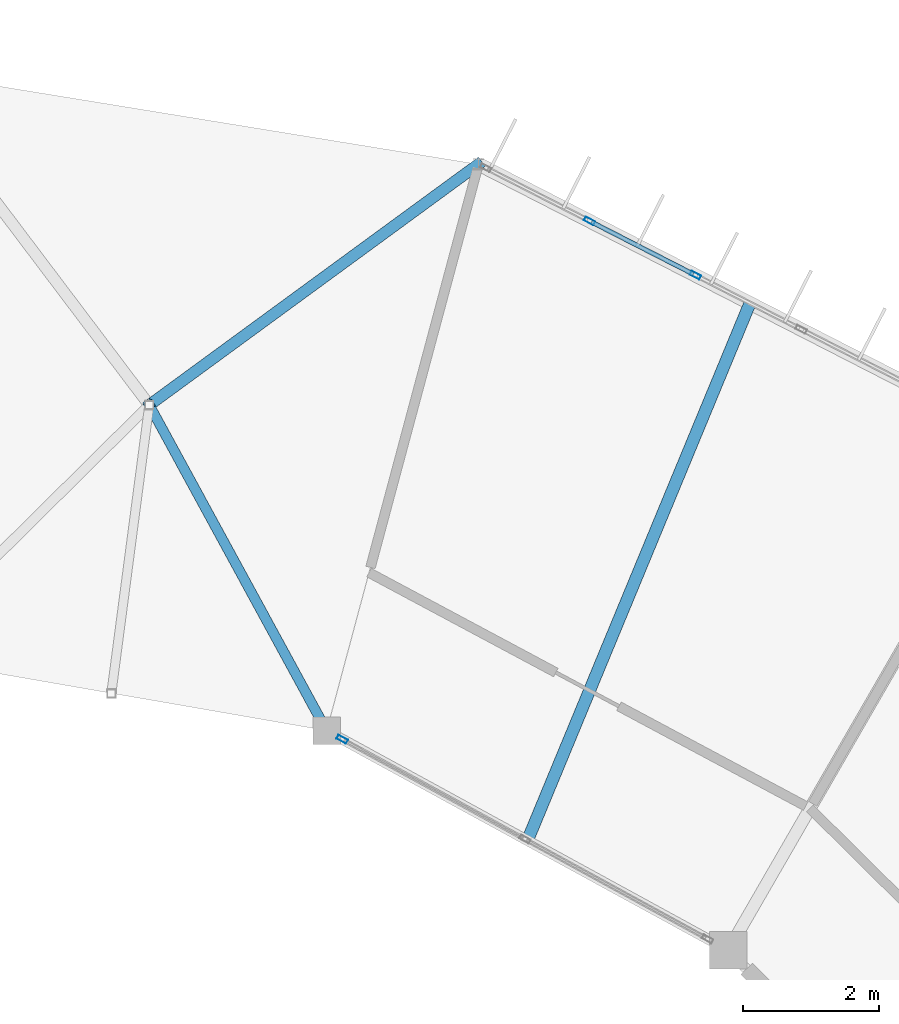
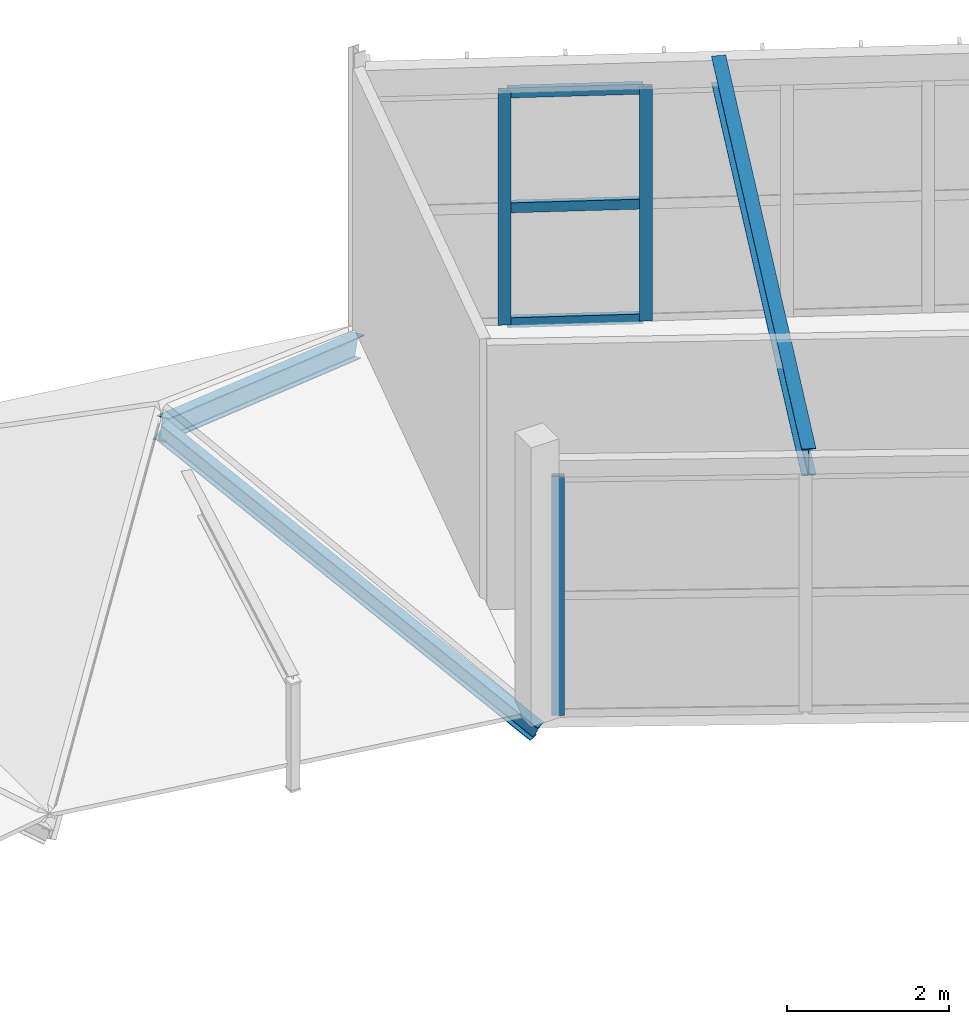
# One storey, part 37 of 66: 8 members, 1 beam, 2 elements without a shape of their own.
"""IFC4 building model written with IfcOpenShell, lengths in metres."""

from ifc_helpers import new_model, si_unit, direction, frame, origin, origin_2d, place, context, subcontext, project, spatial, hollow_rectangle, i_section, extrude, material, material_profile, profile_set, type_object, element, aggregate, save


model = new_model("IFC4")

# Units and contexts
model_context = context("Model", 3, precision=1e-05, world=origin(), true_north=direction((0.0, 1.0)))
body_context = subcontext(model_context, "Body", "Model", "MODEL_VIEW")
ifc_project = project(units=[si_unit("LENGTHUNIT", "METRE"), si_unit("AREAUNIT", "SQUARE_METRE"), si_unit("VOLUMEUNIT", "CUBIC_METRE"), si_unit("PLANEANGLEUNIT", "RADIAN"), si_unit("MASSUNIT", "GRAM", prefix="KILO")], contexts=[model_context])

# Site, building, storey
site_placement = place(None, origin())
site = spatial("IfcSite", under=ifc_project, at=site_placement, CompositionType="ELEMENT")
building_placement = place(site_placement, origin())
building = spatial("IfcBuilding", under=site, at=building_placement, Name="Karori Crest Natural Sciences Institute", CompositionType="ELEMENT")
storey_placement = place(building_placement, frame((0.0, 0.0, 30.10009765625)))
storey = spatial("IfcBuildingStorey", under=building, at=storey_placement, Name="L07", CompositionType="ELEMENT", Elevation=30.10009765625)

# Beam
ifc_material_1 = material(Name="Structural steel AS/NZS 3679.1 Grade 350", Category="steel")
ifc_material_profile_1 = material_profile(ifc_material_1, i_section(OverallWidth=0.177978515625, OverallDepth=0.406005859375, WebThickness=0.0078125, FlangeThickness=0.0126953125, FilletRadius=0.010986328125, at=origin_2d()), Name="410UB59.7")
ifc_profile_set_1 = profile_set([ifc_material_profile_1], Name="Structural steel AS/NZS 3679.1 Grade 350")
beam_type = type_object("IfcBeamType", Name="BT-07", PredefinedType="BEAM", material=ifc_profile_set_1)
beam_placement = place(storey_placement, frame((75.65771484375, 79.394287109375, 3.739990234375), z_axis=(0.38265863017, 0.923889805527, 0.0), x_axis=(-0.923889805527, 0.38265863017, 0.0)))
element("IfcBeam", 1, at=beam_placement, inside=storey, type_object=beam_type, Name="Beam B-2885", PredefinedType="BEAM", context=body_context, shape_type="SweptSolid", body=[
    extrude(i_section(OverallWidth=0.177978515625, OverallDepth=0.406005859375, WebThickness=0.0078125, FlangeThickness=0.0126953125, FilletRadius=0.010986328125, at=origin_2d()), origin(), (0.0, 0.0, 1.0), 8.5263671875),
])

# Curtain wall, members
ifc_material_2 = material(Name="Anodised architectural aluminium 6063-T6", Category="aluminium")
curtain_wall_type_1 = type_object("IfcCurtainWallType", Name="CWT-05", PredefinedType="NOTDEFINED", material=ifc_material_2)
curtain_wall_1_placement = place(storey_placement, origin())
curtain_wall_1 = element("IfcCurtainWall", 2, at=curtain_wall_1_placement, inside=storey, type_object=curtain_wall_type_1, Name="Curtain wall CW-0249", PredefinedType="NOTDEFINED")
ifc_material_profile_2 = material_profile(ifc_material_2, hollow_rectangle(XDim=0.06494140625, YDim=0.159912109375, WallThickness=0.00390625, at=origin_2d()), Name="CWM160x65x4")
ifc_profile_set_2 = profile_set([ifc_material_profile_2], Name="Anodised architectural aluminium 6063-T6")
member_type_1 = type_object("IfcMemberType", Name="CWM-01", PredefinedType="MULLION", material=ifc_profile_set_2)
member_1_placement = place(storey_placement, frame((76.56787109375, 88.4765625, 0.0), z_axis=(0.0, 0.0, 1.0), x_axis=(0.455828878252, 0.890067432138, 0.0)))
member_1 = element("IfcMember", 3, at=member_1_placement, type_object=member_type_1, Name="CW-0249 mullion 2", PredefinedType="MULLION", context=body_context, shape_type="SweptSolid", body=[
    extrude(hollow_rectangle(XDim=0.06494140625, YDim=0.159912109375, WallThickness=0.00390625, at=origin_2d()), origin(), (0.0, 0.0, 1.0), 3.52490234375),
])
member_2_placement = place(storey_placement, frame((78.11962890625, 87.681884765625, 0.0), z_axis=(0.0, 0.0, 1.0), x_axis=(0.455828878252, 0.890067432138, 0.0)))
member_2 = element("IfcMember", 4, at=member_2_placement, type_object=member_type_1, Name="CW-0249 mullion 3", PredefinedType="MULLION", context=body_context, shape_type="SweptSolid", body=[
    extrude(hollow_rectangle(XDim=0.06494140625, YDim=0.159912109375, WallThickness=0.00390625, at=origin_2d()), origin(), (0.0, 0.0, 1.0), 3.52490234375),
])

# Curtain wall, member
curtain_wall_type_2 = type_object("IfcCurtainWallType", Name="CWT-15", PredefinedType="NOTDEFINED", material=ifc_material_2)
curtain_wall_2_placement = place(storey_placement, origin())
curtain_wall_2 = element("IfcCurtainWall", 5, at=curtain_wall_2_placement, inside=storey, type_object=curtain_wall_type_2, Name="Curtain wall CW-0250", PredefinedType="NOTDEFINED")
member_3_placement = place(storey_placement, frame((72.94189453125, 80.87890625, 0.0), z_axis=(0.0, 0.0, 1.0), x_axis=(-0.479631017431, -0.877470277057, 0.0)))
member_3 = element("IfcMember", 6, at=member_3_placement, type_object=member_type_1, Name="CW-0250 mullion 3", PredefinedType="MULLION", context=body_context, shape_type="SweptSolid", body=[
    extrude(hollow_rectangle(XDim=0.06494140625, YDim=0.159912109375, WallThickness=0.00390625, at=origin_2d()), origin(), (0.0, 0.0, 1.0), 3.599853515625),
])
aggregate(curtain_wall_2, [member_3])

# Member
ifc_material_profile_3 = material_profile(ifc_material_2, hollow_rectangle(XDim=0.06494140625, YDim=0.14990234375, WallThickness=0.00390625, at=origin_2d()), Name="CWT150x65x4")
ifc_profile_set_3 = profile_set([ifc_material_profile_3], Name="Anodised architectural aluminium 6063-T6")
member_type_2 = type_object("IfcMemberType", Name="CWT-TR2", PredefinedType="USERDEFINED", material=ifc_profile_set_3)
member_4_placement = place(storey_placement, frame((76.596923828125, 88.4619140625, 0.032470703125), z_axis=(0.890050562189, -0.455861817601, 0.0), x_axis=(0.455861817601, 0.890050562189, 0.0)))
member_4 = element("IfcMember", 7, at=member_4_placement, type_object=member_type_2, Name="CW-0249 transom 2.1", ObjectType="TRANSOM", PredefinedType="USERDEFINED", context=body_context, shape_type="SweptSolid", body=[
    extrude(hollow_rectangle(XDim=0.06494140625, YDim=0.14990234375, WallThickness=0.00390625, at=origin_2d()), origin(), (0.0, 0.0, 1.0), 1.678466796875),
])

member_5_placement = place(storey_placement, frame((76.596923828125, 88.4619140625, 1.762451171875), z_axis=(0.890050562189, -0.455861817601, 0.0), x_axis=(0.455861817601, 0.890050562189, 0.0)))
member_5 = element("IfcMember", 8, at=member_5_placement, type_object=member_type_2, Name="CW-0249 transom 2.2", ObjectType="TRANSOM", PredefinedType="USERDEFINED", context=body_context, shape_type="SweptSolid", body=[
    extrude(hollow_rectangle(XDim=0.06494140625, YDim=0.14990234375, WallThickness=0.00390625, at=origin_2d()), origin(), (0.0, 0.0, 1.0), 1.678466796875),
])

member_6_placement = place(storey_placement, frame((76.596923828125, 88.4619140625, 3.492431640625), z_axis=(0.890050562189, -0.455861817601, 0.0), x_axis=(0.455861817601, 0.890050562189, 0.0)))
member_6 = element("IfcMember", 9, at=member_6_placement, type_object=member_type_2, Name="CW-0249 transom 2.3", ObjectType="TRANSOM", PredefinedType="USERDEFINED", context=body_context, shape_type="SweptSolid", body=[
    extrude(hollow_rectangle(XDim=0.06494140625, YDim=0.14990234375, WallThickness=0.00390625, at=origin_2d()), origin(), (0.0, 0.0, 1.0), 1.678466796875),
])

aggregate(curtain_wall_1, [member_1, member_2, member_4, member_5, member_6])

# Members
ifc_material_profile_4 = material_profile(ifc_material_1, i_section(OverallWidth=0.166015625, OverallDepth=0.306884765625, WebThickness=0.006591796875, FlangeThickness=0.01171875, FilletRadius=0.010986328125, at=origin_2d()), Name="310UB46.2")
ifc_profile_set_4 = profile_set([ifc_material_profile_4], Name="Structural steel AS/NZS 3679.1 Grade 350")
member_type_3 = type_object("IfcMemberType", Name="MT-06", PredefinedType="RAFTER", material=ifc_profile_set_4)
member_7_placement = place(storey_placement, frame((74.94091796875, 89.309814453125, -0.260009765625), z_axis=(-0.741450357047, -0.542502699157, 0.394895162597), x_axis=(0.590494431951, -0.807041712574, 0.0)))
element("IfcMember", 10, at=member_7_placement, inside=storey, type_object=member_type_3, Name="Member M-0066", PredefinedType="RAFTER", context=body_context, shape_type="SweptSolid", body=[
    extrude(i_section(OverallWidth=0.166015625, OverallDepth=0.306884765625, WebThickness=0.006591796875, FlangeThickness=0.01171875, FilletRadius=0.010986328125, at=origin_2d()), origin(), (0.0, 0.0, 1.0), 6.510009765625),
])
ifc_material_profile_5 = material_profile(ifc_material_1, i_section(OverallWidth=0.14599609375, OverallDepth=0.256103515625, WebThickness=0.00634765625, FlangeThickness=0.010986328125, FilletRadius=0.009033203125, at=origin_2d()), Name="250UB37.3")
ifc_profile_set_5 = profile_set([ifc_material_profile_5], Name="Structural steel AS/NZS 3679.1 Grade 350")
member_type_4 = type_object("IfcMemberType", Name="MT-07", PredefinedType="RAFTER", material=ifc_profile_set_5)
member_8_placement = place(storey_placement, frame((72.715087890625, 81.002685546875, -0.260009765625), z_axis=(-0.43243885526, 0.793927539786, 0.427405776787), x_axis=(-0.878180240252, -0.478329871147, 0.0)))
element("IfcMember", 11, at=member_8_placement, inside=storey, type_object=member_type_4, Name="Member M-0068", PredefinedType="RAFTER", context=body_context, shape_type="SweptSolid", body=[
    extrude(i_section(OverallWidth=0.14599609375, OverallDepth=0.256103515625, WebThickness=0.00634765625, FlangeThickness=0.010986328125, FilletRadius=0.009033203125, at=origin_2d()), origin(), (0.0, 0.0, 1.0), 6.014892578125),
])

save(model, "model.ifc")
